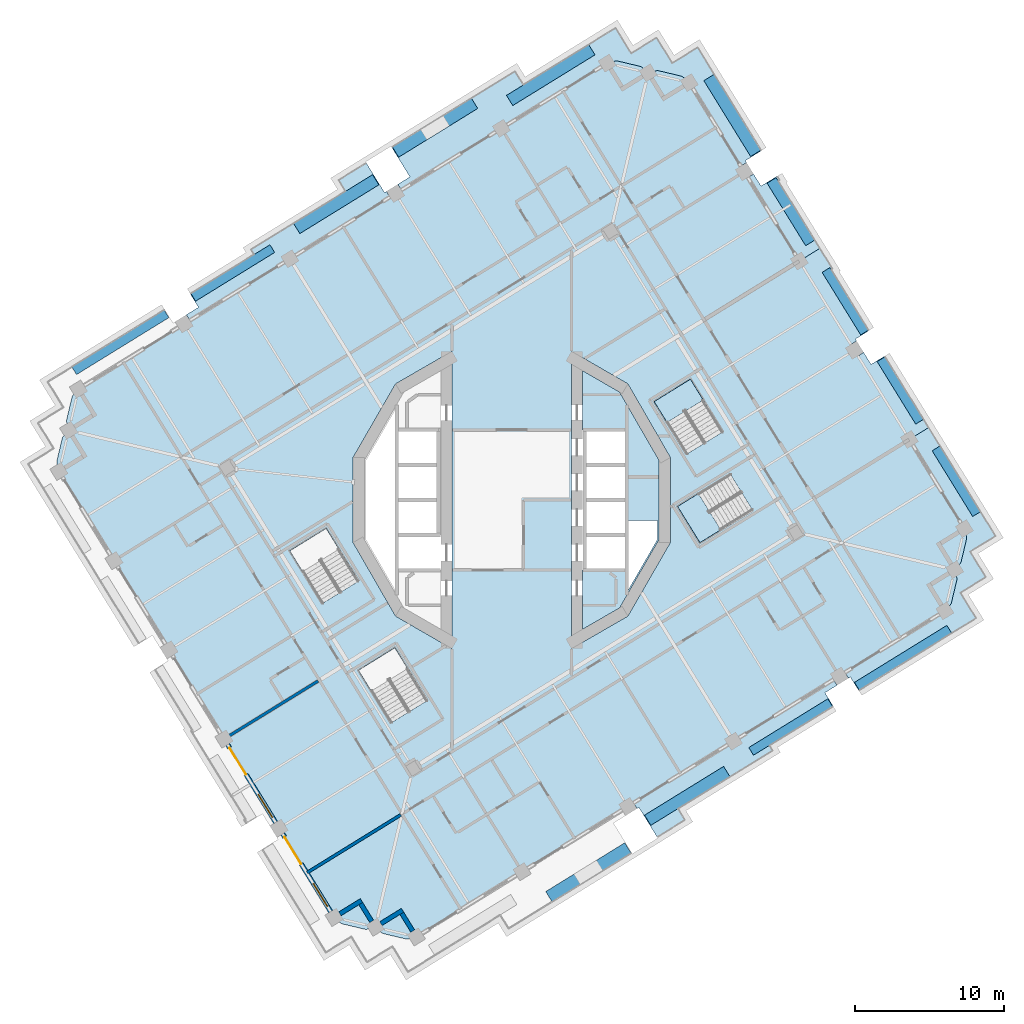
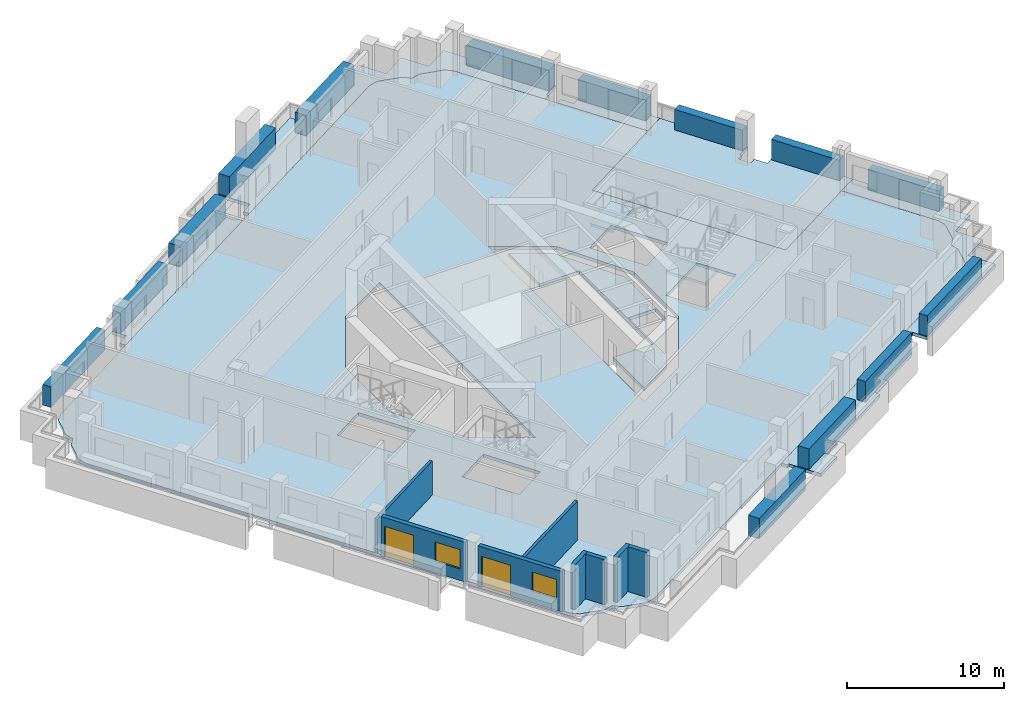
# One storey, part 3 of 20: 14 plates, 10 slabs, 8 walls, 2 doors, 2 windows, 4 openings, 2 elements without a shape of their own.
"""IFC4 building model written with IfcOpenShell, lengths in metres."""

from ifc_helpers import new_model, si_unit, direction, frame, frame_2d, origin, origin_2d, place, context, subcontext, project, spatial, polyline, rectangle, outline, extrude, material, layer, layer_set, type_object, element, fill, aggregate, save


model = new_model("IFC4")

# Units and contexts
model_context = context("Model", 3, precision=1e-05, world=origin(), true_north=direction((0.0, 1.0)))
body_context = subcontext(model_context, "Body", "Model", "MODEL_VIEW")
ifc_project = project(units=[si_unit("LENGTHUNIT", "METRE"), si_unit("AREAUNIT", "SQUARE_METRE"), si_unit("VOLUMEUNIT", "CUBIC_METRE"), si_unit("PLANEANGLEUNIT", "RADIAN"), si_unit("MASSUNIT", "GRAM", prefix="KILO")], contexts=[model_context])

# Site, building, storey
site_placement = place(None, origin())
site = spatial("IfcSite", under=ifc_project, at=site_placement, CompositionType="ELEMENT")
building_placement = place(site_placement, origin())
building = spatial("IfcBuilding", under=site, at=building_placement, Name="Cantera Rosa Tower", CompositionType="ELEMENT")
storey_placement = place(building_placement, frame((0.0, 0.0, 181.800048828125)))
storey = spatial("IfcBuildingStorey", under=building, at=storey_placement, Name="L40", CompositionType="ELEMENT", Elevation=181.800048828125)

# Slabs
ifc_material_1 = material(Name="Concrete C35/45", Category="concrete")
ifc_layer_1 = layer(ifc_material_1, 0.25)
ifc_layer_set_1 = layer_set([ifc_layer_1], Name="COMPOSITE FLOOR SLAB 250 C35/45")
slab_type_1 = type_object("IfcSlabType", Name="COMPOSITE FLOOR SLAB 250 C35/45", PredefinedType="FLOOR", material=ifc_layer_set_1)
slab_1_placement = place(storey_placement, frame((0.0, 0.0, -0.25)))
element("IfcSlab", 1, at=slab_1_placement, inside=storey, type_object=slab_type_1, Name="SLAB L40 floor 2", PredefinedType="FLOOR", context=body_context, shape_type="SweptSolid", body=[
    extrude(outline(polyline([(-8.673828125, -29.014892578125), (-8.698486328125, -28.998779296875), (-8.721435546875, -28.98046875), (-9.14208984375, -28.60888671875), (-9.684814453125, -28.752197265625), (-9.713623046875, -28.75830078125), (-9.742919921875, -28.761474609375), (-9.772216796875, -28.76171875), (-9.801513671875, -28.75927734375), (-9.83056640625, -28.75390625), (-11.34423828125, -28.395263671875), (-11.37255859375, -28.386962890625), (-11.39990234375, -28.376220703125), (-11.426025390625, -28.362548828125), (-11.45068359375, -28.346435546875), (-11.4736328125, -28.328125), (-11.894287109375, -27.95654296875), (-12.408935546875, -27.122314453125), (-30.321044921875, 1.917724609375), (-30.46435546875, 2.460205078125), (-30.470458984375, 2.489013671875), (-30.4736328125, 2.518310546875), (-30.47412109375, 2.5478515625), (-30.4716796875, 2.5771484375), (-30.46630859375, 2.606201171875), (-30.107421875, 4.119873046875), (-30.09912109375, 4.148193359375), (-30.08837890625, 4.17529296875), (-30.07470703125, 4.20166015625), (-30.05859375, 4.226318359375), (-30.040283203125, 4.249267578125), (-29.668701171875, 4.669921875), (-29.81201171875, 5.21240234375), (-29.818115234375, 5.2412109375), (-29.8212890625, 5.2705078125), (-29.82177734375, 5.300048828125), (-29.8193359375, 5.329345703125), (-29.81396484375, 5.3583984375), (-29.455078125, 6.8720703125), (-29.447021484375, 6.900390625), (-29.43603515625, 6.927490234375), (-29.422607421875, 6.953857421875), (-29.406494140625, 6.978515625), (-29.38818359375, 7.00146484375), (-29.0166015625, 7.422119140625), (6.389892578125, 29.260986328125), (6.9326171875, 29.404296875), (6.96142578125, 29.410400390625), (6.99072265625, 29.413818359375), (7.02001953125, 29.4140625), (7.049560546875, 29.41162109375), (7.078369140625, 29.40625), (8.592041015625, 29.047607421875), (8.620361328125, 29.039306640625), (8.647705078125, 29.0283203125), (8.673828125, 29.014892578125), (8.698486328125, 28.998779296875), (8.721435546875, 28.98046875), (9.14208984375, 28.60888671875), (9.684814453125, 28.752197265625), (9.713623046875, 28.75830078125), (9.742919921875, 28.761474609375), (9.772216796875, 28.76171875), (9.801513671875, 28.75927734375), (9.83056640625, 28.75390625), (11.34423828125, 28.395263671875), (11.37255859375, 28.386962890625), (11.39990234375, 28.376220703125), (11.426025390625, 28.362548828125), (11.45068359375, 28.346435546875), (11.4736328125, 28.328125), (11.894287109375, 27.95654296875), (19.264892578125, 16.0068359375), (12.881591796875, 12.069580078125), (20.252197265625, 0.119873046875), (26.6357421875, 4.05712890625), (30.321044921875, -1.917724609375), (30.46435546875, -2.460205078125), (30.470458984375, -2.489013671875), (30.4736328125, -2.518310546875), (30.47412109375, -2.5478515625), (30.4716796875, -2.5771484375), (30.46630859375, -2.606201171875), (30.107421875, -4.119873046875), (30.09912109375, -4.148193359375), (30.08837890625, -4.17529296875), (30.07470703125, -4.20166015625), (30.05859375, -4.226318359375), (30.040283203125, -4.249267578125), (29.668701171875, -4.669921875), (29.81201171875, -5.21240234375), (29.818115234375, -5.2412109375), (29.8212890625, -5.2705078125), (29.82177734375, -5.300048828125), (29.8193359375, -5.329345703125), (29.81396484375, -5.3583984375), (29.455078125, -6.8720703125), (29.447021484375, -6.900390625), (29.43603515625, -6.927490234375), (29.422607421875, -6.953857421875), (29.406494140625, -6.978515625), (29.38818359375, -7.00146484375), (29.0166015625, -7.422119140625), (28.18212890625, -7.9365234375), (-6.389892578125, -29.260986328125), (-6.9326171875, -29.404296875), (-6.96142578125, -29.410400390625), (-6.99072265625, -29.413818359375), (-7.02001953125, -29.4140625), (-7.049560546875, -29.41162109375), (-7.078369140625, -29.40625), (-8.592041015625, -29.047607421875), (-8.620361328125, -29.039306640625), (-8.647705078125, -29.0283203125), (-8.673828125, -29.014892578125)]), holes=[polyline([(-7.830810546875, -9.911376953125), (-10.256591796875, -11.407470703125), (-8.084228515625, -14.929443359375), (-5.658447265625, -13.433349609375), (-7.830810546875, -9.911376953125)]), polyline([(-12.430908203125, -1.911376953125), (-14.8564453125, -3.407470703125), (-12.68408203125, -6.929443359375), (-10.258544921875, -5.433349609375), (-12.430908203125, -1.911376953125)]), polyline([(-10.625244140625, 2.846923828125), (-10.625244140625, -2.846923828125), (-7.7783203125, -7.7783203125), (-4.0, -9.95947265625), (-4.0, 9.95947265625), (-7.7783203125, 7.7783203125), (-10.625244140625, 2.846923828125)]), polyline([(11.111328125, -0.430908203125), (12.607421875, -2.8564453125), (16.12939453125, -0.68408203125), (14.63330078125, 1.741455078125), (11.111328125, -0.430908203125)]), polyline([(10.625244140625, -2.846923828125), (10.625244140625, 2.846923828125), (7.7783203125, 7.7783203125), (4.0, 9.95947265625), (4.0, -9.95947265625), (7.7783203125, -7.7783203125), (10.625244140625, -2.846923828125)]), polyline([(11.96923828125, 8.088623046875), (9.54345703125, 6.592529296875), (11.7158203125, 3.070556640625), (14.1416015625, 4.566650390625), (11.96923828125, 8.088623046875)])]), origin(), (0.0, 0.0, 1.0), 0.25),
])
slab_2_placement = place(storey_placement, frame((0.0, 0.0, -0.25)))
element("IfcSlab", 2, at=slab_2_placement, inside=storey, type_object=slab_type_1, Name="SLAB L40 floor 3", PredefinedType="FLOOR", context=body_context, shape_type="SweptSolid", body=[
    extrude(outline(polyline([(7.699951171875, 0.0), (7.699951171875, 2.35009765625), (7.699951171875, 4.699951171875), (4.75, 4.699951171875), (4.75, 8.660400390625), (7.22900390625, 7.22900390625), (9.875244140625, 2.64599609375), (9.875244140625, -2.64599609375), (7.22900390625, -7.22900390625), (4.75, -8.660400390625), (4.75, -4.699951171875), (7.699951171875, -4.699951171875), (7.699951171875, -2.35009765625), (7.699951171875, 0.0)]), holes=[polyline([(9.775146484375, -1.3828125), (7.800048828125, -1.3828125), (7.800048828125, -2.25), (7.800048828125, -2.449951171875), (7.800048828125, -6.040283203125), (9.775146484375, -2.619384765625), (9.775146484375, -1.3828125)])]), origin(), (0.0, 0.0, 1.0), 0.25),
])
ifc_material_2 = material(Name="Concrete C35/45", Category="concrete")
ifc_layer_2 = layer(ifc_material_2, 0.25)
ifc_layer_set_2 = layer_set([ifc_layer_2], Name="LOGGIA SLAB 250 C35/45")
slab_type_2 = type_object("IfcSlabType", Name="LOGGIA SLAB 250 C35/45", PredefinedType="FLOOR", material=ifc_layer_set_2)
slab_3_placement = place(storey_placement, frame((0.0, 0.0, -0.25)))
element("IfcSlab", 3, at=slab_3_placement, inside=storey, type_object=slab_type_2, Name="LOGGIA SLAB L40 3", PredefinedType="FLOOR", context=body_context, shape_type="SweptSolid", body=[
    extrude(outline(polyline([(-9.736083984375, 22.565673828125), (-8.51953125, 20.593505859375), (-8.391845703125, 20.672119140625), (-8.155517578125, 20.289306640625), (-21.55224609375, 12.026123046875), (-21.788330078125, 12.4091796875), (-20.97998046875, 12.90771484375), (-21.531005859375, 13.801513671875), (-21.446044921875, 13.85400390625), (-17.249267578125, 16.442626953125), (-17.45361328125, 16.773681640625), (-11.119384765625, 20.6806640625), (-11.580322265625, 21.427978515625), (-9.736083984375, 22.565673828125)])), origin(), (0.0, 0.0, 1.0), 0.25),
])
slab_4_placement = place(storey_placement, frame((0.0, 0.0, -0.25)))
element("IfcSlab", 4, at=slab_4_placement, inside=storey, type_object=slab_type_2, Name="LOGGIA SLAB L40 5", PredefinedType="FLOOR", context=body_context, shape_type="SweptSolid", body=[
    extrude(outline(polyline([(7.994384765625, 29.898193359375), (8.249755859375, 30.0556640625), (9.696533203125, 30.9482421875), (10.589111328125, 29.501220703125), (10.74658203125, 29.245849609375), (11.001953125, 29.4033203125), (12.44873046875, 30.2958984375), (13.34130859375, 28.84912109375), (16.711669921875, 23.384765625), (15.647705078125, 22.728515625), (15.7265625, 22.600830078125), (15.343505859375, 22.36474609375), (11.894287109375, 27.95654296875), (11.4736328125, 28.328125), (11.45068359375, 28.346435546875), (11.426025390625, 28.362548828125), (11.39990234375, 28.376220703125), (11.37255859375, 28.386962890625), (11.34423828125, 28.395263671875), (9.83056640625, 28.75390625), (9.801513671875, 28.75927734375), (9.772216796875, 28.76171875), (9.742919921875, 28.761474609375), (9.713623046875, 28.75830078125), (9.684814453125, 28.752197265625), (9.14208984375, 28.60888671875), (8.721435546875, 28.98046875), (8.698486328125, 28.998779296875), (8.673828125, 29.014892578125), (8.647705078125, 29.0283203125), (8.620361328125, 29.039306640625), (8.592041015625, 29.047607421875), (7.078369140625, 29.40625), (7.049560546875, 29.41162109375), (7.02001953125, 29.4140625), (6.99072265625, 29.413818359375), (6.96142578125, 29.410400390625), (6.9326171875, 29.404296875), (6.389892578125, 29.260986328125), (-7.3896484375, 20.76171875), (-7.625732421875, 21.144775390625), (-6.8173828125, 21.643310546875), (-8.03369140625, 23.615478515625), (0.211181640625, 28.701171875), (0.771484375, 27.79296875), (5.49755859375, 30.7080078125), (6.9443359375, 31.600341796875), (7.8369140625, 30.153564453125), (7.994384765625, 29.898193359375)])), origin(), (0.0, 0.0, 1.0), 0.25),
])
slab_5_placement = place(storey_placement, frame((0.0, 0.0, -0.25)))
element("IfcSlab", 5, at=slab_5_placement, inside=storey, type_object=slab_type_2, Name="LOGGIA SLAB L40 6", PredefinedType="FLOOR", context=body_context, shape_type="SweptSolid", body=[
    extrude(outline(polyline([(21.788330078125, -12.4091796875), (20.97998046875, -12.90771484375), (21.531005859375, -13.801513671875), (21.446044921875, -13.85400390625), (17.249267578125, -16.442626953125), (17.45361328125, -16.773681640625), (11.119384765625, -20.6806640625), (11.580322265625, -21.427978515625), (9.736083984375, -22.565673828125), (8.51953125, -20.593505859375), (8.391845703125, -20.672119140625), (8.155517578125, -20.289306640625), (21.55224609375, -12.026123046875), (21.788330078125, -12.4091796875)])), origin(), (0.0, 0.0, 1.0), 0.25),
])
slab_6_placement = place(storey_placement, frame((0.0, 0.0, -0.25)))
element("IfcSlab", 6, at=slab_6_placement, inside=storey, type_object=slab_type_2, Name="LOGGIA SLAB L40 7", PredefinedType="FLOOR", context=body_context, shape_type="SweptSolid", body=[
    extrude(outline(polyline([(16.198974609375, 21.8349609375), (16.69775390625, 21.0263671875), (17.76171875, 21.6826171875), (17.9189453125, 21.42724609375), (17.834228515625, 21.375), (20.627197265625, 16.846923828125), (19.264892578125, 16.0068359375), (15.81591796875, 21.5986328125), (16.198974609375, 21.8349609375)])), origin(), (0.0, 0.0, 1.0), 0.25),
])
slab_7_placement = place(storey_placement, frame((0.0, 0.0, -0.25)))
element("IfcSlab", 7, at=slab_7_placement, inside=storey, type_object=slab_type_2, Name="LOGGIA SLAB L40 8", PredefinedType="FLOOR", context=body_context, shape_type="SweptSolid", body=[
    extrude(outline(polyline([(30.682861328125, -3.456787109375), (30.9453125, -3.88232421875), (31.73291015625, -5.1591796875), (30.456298828125, -5.946533203125), (30.03076171875, -6.208984375), (30.293212890625, -6.634521484375), (31.08056640625, -7.911376953125), (29.803955078125, -8.69873046875), (23.999267578125, -12.279052734375), (23.2333984375, -12.75146484375), (22.68212890625, -11.85791015625), (22.554443359375, -11.9365234375), (22.318115234375, -11.5537109375), (28.18212890625, -7.9365234375), (29.0166015625, -7.422119140625), (29.38818359375, -7.00146484375), (29.406494140625, -6.978515625), (29.422607421875, -6.953857421875), (29.43603515625, -6.927490234375), (29.447021484375, -6.900390625), (29.455078125, -6.8720703125), (29.81396484375, -5.3583984375), (29.8193359375, -5.329345703125), (29.82177734375, -5.300048828125), (29.8212890625, -5.2705078125), (29.818115234375, -5.2412109375), (29.81201171875, -5.21240234375), (29.668701171875, -4.669921875), (30.040283203125, -4.249267578125), (30.05859375, -4.226318359375), (30.07470703125, -4.20166015625), (30.08837890625, -4.17529296875), (30.09912109375, -4.148193359375), (30.107421875, -4.119873046875), (30.46630859375, -2.606201171875), (30.4716796875, -2.5771484375), (30.47412109375, -2.5478515625), (30.4736328125, -2.518310546875), (30.470458984375, -2.489013671875), (30.46435546875, -2.460205078125), (30.321044921875, -1.917724609375), (26.6357421875, 4.05712890625), (27.912353515625, 4.844482421875), (28.69970703125, 3.568115234375), (31.59765625, -1.130126953125), (32.38525390625, -2.406982421875), (31.1083984375, -3.1943359375), (30.682861328125, -3.456787109375)])), origin(), (0.0, 0.0, 1.0), 0.25),
])

# Plates
ifc_material_3 = material(Name="Cantera stone planter with soil", Category="masonry")
plate_type_1 = type_object("IfcPlateType", Name="PLANTER 600", PredefinedType="USERDEFINED", material=ifc_material_3)
plate_1_placement = place(storey_placement, frame((29.775390625, 1.2529296875, 0.0), z_axis=(0.0, 0.0, 1.0), x_axis=(-0.52497658034, 0.851116672434, 0.0)))
element("IfcPlate", 8, at=plate_1_placement, inside=storey, type_object=plate_type_1, Name="PLANTER L40-01", ObjectType="PLANTER", PredefinedType="USERDEFINED", context=body_context, shape_type="SweptSolid", body=[
    extrude(rectangle(XDim=5.169921875, YDim=0.60009765625, at=origin_2d()), origin(), (0.0, 0.0, 1.0), 1.60009765625),
])
for number, where, z_axis, x_axis, name in (
    (9, (26.0244140625, 7.333984375, 0.0), (0.0, 0.0, 1.0), (-0.52497658034, 0.851116672434, 0.0), "PLANTER L40-02"),
    (10, (22.339111328125, 13.308837890625, 0.0), (0.0, 0.0, 1.0), (-0.52497658034, 0.851116672434, 0.0), "PLANTER L40-03"),
):
    element("IfcPlate", number, at=place(storey_placement, frame(where, z_axis=z_axis, x_axis=x_axis)), inside=storey, type_object=plate_type_1, Name=name, ObjectType="PLANTER", PredefinedType="USERDEFINED", context=body_context, shape_type="SweptSolid", body=[
        extrude(rectangle(XDim=4.919921875, YDim=0.60009765625, at=origin_2d()), origin(), (0.0, 0.0, 1.0), 1.60009765625),
    ])
plate_2_placement = place(storey_placement, frame((-18.68408203125, 15.205078125, 0.0), z_axis=(0.0, 0.0, 1.0), x_axis=(-0.851116672434, -0.52497658034, 0.0)))
element("IfcPlate", 11, at=plate_2_placement, inside=storey, type_object=plate_type_1, Name="PLANTER L40-09", ObjectType="PLANTER", PredefinedType="USERDEFINED", context=body_context, shape_type="SweptSolid", body=[
    extrude(rectangle(XDim=6.219970703125, YDim=0.60009765625, at=origin_2d()), origin(), (0.0, 0.0, 1.0), 1.60009765625),
])
plate_3_placement = place(storey_placement, frame((-26.212158203125, 10.561767578125, 0.0), z_axis=(0.0, 0.0, 1.0), x_axis=(-0.851116672434, -0.52497658034, 0.0)))
element("IfcPlate", 12, at=plate_3_placement, inside=storey, type_object=plate_type_1, Name="PLANTER L40-10", ObjectType="PLANTER", PredefinedType="USERDEFINED", context=body_context, shape_type="SweptSolid", body=[
    extrude(rectangle(XDim=7.27001953125, YDim=0.60009765625, at=origin_2d()), origin(), (0.0, 0.0, 1.0), 1.60009765625),
])
plate_4_placement = place(storey_placement, frame((18.68408203125, -15.205078125, 0.0), z_axis=(0.0, 0.0, 1.0), x_axis=(0.851116672434, 0.52497658034, 0.0)))
element("IfcPlate", 13, at=plate_4_placement, inside=storey, type_object=plate_type_1, Name="PLANTER L40-19", ObjectType="PLANTER", PredefinedType="USERDEFINED", context=body_context, shape_type="SweptSolid", body=[
    extrude(rectangle(XDim=6.219970703125, YDim=0.60009765625, at=origin_2d()), origin(), (0.0, 0.0, 1.0), 1.60009765625),
])
plate_5_placement = place(storey_placement, frame((26.212158203125, -10.561767578125, 0.0), z_axis=(0.0, 0.0, 1.0), x_axis=(0.851116672434, 0.52497658034, 0.0)))
element("IfcPlate", 14, at=plate_5_placement, inside=storey, type_object=plate_type_1, Name="PLANTER L40-20", ObjectType="PLANTER", PredefinedType="USERDEFINED", context=body_context, shape_type="SweptSolid", body=[
    extrude(rectangle(XDim=7.27001953125, YDim=0.60009765625, at=origin_2d()), origin(), (0.0, 0.0, 1.0), 1.60009765625),
])
ifc_material_4 = material(Name="Cantera stone planter with soil", Category="masonry")
plate_type_2 = type_object("IfcPlateType", Name="PLANTER 700", PredefinedType="USERDEFINED", material=ifc_material_4)
plate_6_placement = place(storey_placement, frame((18.696533203125, 19.310302734375, 0.0), z_axis=(0.0, 0.0, 1.0), x_axis=(-0.52497658034, 0.851116672434, 0.0)))
element("IfcPlate", 15, at=plate_6_placement, inside=storey, type_object=plate_type_2, Name="PLANTER L40-04", ObjectType="PLANTER", PredefinedType="USERDEFINED", context=body_context, shape_type="SweptSolid", body=[
    extrude(rectangle(XDim=4.919921875, YDim=0.699951171875, at=origin_2d()), origin(), (0.0, 0.0, 1.0), 1.60009765625),
])
ifc_material_5 = material(Name="Cantera stone planter with soil", Category="masonry")
plate_type_3 = type_object("IfcPlateType", Name="PLANTER 800", PredefinedType="USERDEFINED", material=ifc_material_5)
plate_7_placement = place(storey_placement, frame((14.77783203125, 25.758056640625, 0.0), z_axis=(0.0, 0.0, 1.0), x_axis=(-0.52497658034, 0.851116672434, 0.0)))
element("IfcPlate", 16, at=plate_7_placement, inside=storey, type_object=plate_type_3, Name="PLANTER L40-05", ObjectType="PLANTER", PredefinedType="USERDEFINED", context=body_context, shape_type="SweptSolid", body=[
    extrude(rectangle(XDim=5.969970703125, YDim=0.800048828125, at=origin_2d()), origin(), (0.0, 0.0, 1.0), 1.60009765625),
])
plate_8_placement = place(storey_placement, frame((2.61376953125, 28.459228515625, 0.0), z_axis=(0.0, 0.0, 1.0), x_axis=(-0.851116672434, -0.52497658034, 0.0)))
element("IfcPlate", 17, at=plate_8_placement, inside=storey, type_object=plate_type_3, Name="PLANTER L40-06", ObjectType="PLANTER", PredefinedType="USERDEFINED", context=body_context, shape_type="SweptSolid", body=[
    extrude(rectangle(XDim=6.469970703125, YDim=0.800048828125, at=origin_2d()), origin(), (0.0, 0.0, 1.0), 1.60009765625),
])
for number, where, z_axis, x_axis, name in (
    (18, (-5.13427734375, 24.93408203125, 0.0), (0.0, 0.0, 1.0), (-0.851116672434, -0.52497658034, 0.0), "PLANTER L40-07"),
    (19, (-11.754638671875, 19.81884765625, 0.0), (0.0, 0.0, 1.0), (-0.851116672434, -0.52497658034, 0.0), "PLANTER L40-08"),
    (20, (5.13427734375, -24.93408203125, 0.0), (0.0, 0.0, 1.0), (0.851116672434, 0.52497658034, 0.0), "PLANTER L40-17"),
    (21, (11.754638671875, -19.81884765625, 0.0), (0.0, 0.0, 1.0), (0.851116672434, 0.52497658034, 0.0), "PLANTER L40-18"),
):
    element("IfcPlate", number, at=place(storey_placement, frame(where, z_axis=z_axis, x_axis=x_axis)), inside=storey, type_object=plate_type_3, Name=name, ObjectType="PLANTER", PredefinedType="USERDEFINED", context=body_context, shape_type="SweptSolid", body=[
        extrude(rectangle(XDim=6.219970703125, YDim=0.800048828125, at=origin_2d()), origin(), (0.0, 0.0, 1.0), 1.60009765625),
    ])

# Stair, slab
ifc_material_6 = material(Name="Concrete C35/45", Category="concrete")
stair_type = type_object("IfcStairType", Name="EXIT STAIR 1350 DOGLEG", PredefinedType="HALF_TURN_STAIR", material=ifc_material_6)
stair_1_placement = place(storey_placement, origin())
stair_1 = element("IfcStair", 22, at=stair_1_placement, inside=storey, type_object=stair_type, Name="L40 ST-31", PredefinedType="HALF_TURN_STAIR")
ifc_material_7 = material(Name="Concrete C35/45", Category="concrete")
ifc_layer_3 = layer(ifc_material_7, 0.199951171875)
ifc_layer_set_3 = layer_set([ifc_layer_3], Name="STAIR LANDING 200")
slab_type_3 = type_object("IfcSlabType", Name="STAIR LANDING 200", PredefinedType="LANDING", material=ifc_layer_set_3)
slab_8_placement = place(storey_placement, frame((0.0, 0.0, 1.699951171875)))
slab_8 = element("IfcSlab", 23, at=slab_8_placement, type_object=slab_type_3, Name="ST-31 landing 1", PredefinedType="LANDING", context=body_context, shape_type="SweptSolid", body=[
    extrude(outline(polyline([(12.8310546875, 6.691162109375), (11.96923828125, 8.088623046875), (9.54345703125, 6.592529296875), (10.405517578125, 5.19482421875), (12.8310546875, 6.691162109375)])), origin(), (0.0, 0.0, 1.0), 0.199951171875),
])
aggregate(stair_1, [slab_8])

stair_2_placement = place(storey_placement, origin())
stair_2 = element("IfcStair", 24, at=stair_2_placement, inside=storey, type_object=stair_type, Name="L40 ST-34", PredefinedType="HALF_TURN_STAIR")
slab_9_placement = place(storey_placement, frame((0.0, 0.0, 1.699951171875)))
slab_9 = element("IfcSlab", 25, at=slab_9_placement, type_object=slab_type_3, Name="ST-34 landing 1", PredefinedType="LANDING", context=body_context, shape_type="SweptSolid", body=[
    extrude(outline(polyline([(12.5087890625, 0.43115234375), (11.111328125, -0.430908203125), (12.607421875, -2.8564453125), (14.005126953125, -1.99462890625), (12.5087890625, 0.43115234375)])), origin(), (0.0, 0.0, 1.0), 0.199951171875),
])
aggregate(stair_2, [slab_9])

# Slab
ifc_material_8 = material(Name="Concrete C35/45", Category="concrete")
ifc_layer_4 = layer(ifc_material_8, 0.25)
ifc_layer_set_4 = layer_set([ifc_layer_4], Name="TERRACE SLAB 250 C35/45")
slab_type_4 = type_object("IfcSlabType", Name="TERRACE SLAB 250 C35/45", PredefinedType="FLOOR", material=ifc_layer_set_4)
slab_10_placement = place(storey_placement, frame((0.0, 0.0, -0.25)))
element("IfcSlab", 26, at=slab_10_placement, inside=storey, type_object=slab_type_4, Name="TERRACE SLAB L40 1", PredefinedType="FLOOR", context=body_context, shape_type="SweptSolid", body=[
    extrude(outline(polyline([(20.252197265625, 0.119873046875), (12.881591796875, 12.069580078125), (19.264892578125, 16.0068359375), (20.627197265625, 16.846923828125), (21.46728515625, 15.48486328125), (21.3818359375, 15.432373046875), (23.439697265625, 12.09619140625), (23.912109375, 11.330078125), (23.018310546875, 10.77880859375), (23.09716796875, 10.651123046875), (22.714111328125, 10.4150390625), (23.1865234375, 9.64892578125), (23.569580078125, 9.88525390625), (24.068359375, 9.07666015625), (24.9619140625, 9.6279296875), (25.014404296875, 9.542724609375), (27.125, 6.121337890625), (27.912353515625, 4.844482421875), (26.6357421875, 4.05712890625), (20.252197265625, 0.119873046875)])), origin(), (0.0, 0.0, 1.0), 0.25),
])

# Walls
ifc_material_9 = material(Name="Hollow clay masonry with cantera stone cladding", Category="masonry")
ifc_layer_5 = layer(ifc_material_9, 0.300048828125)
ifc_layer_set_5 = layer_set([ifc_layer_5], Name="EW-LOGGIA 300")
wall_type_1 = type_object("IfcWallType", Name="EW-LOGGIA 300", PredefinedType="SOLIDWALL", material=ifc_layer_set_5)
wall_1_placement = place(storey_placement, frame((-11.51123046875, -27.72021484375, 0.0), z_axis=(0.0, 0.0, 1.0), x_axis=(0.851130227454, 0.524954603669, 0.0)))
element("IfcWall", 27, at=wall_1_placement, inside=storey, type_object=wall_type_1, Name="EN-L40-W20a", PredefinedType="SOLIDWALL", context=body_context, shape_type="SweptSolid", body=[
    extrude(rectangle(XDim=1.699951171875, YDim=0.300048828125, at=frame_2d((0.85009765625, 0.0))), origin(), (0.0, 0.0, 1.0), 3.5),
])
wall_2_placement = place(storey_placement, frame((-10.11328125, -27.0341796875, 0.0), z_axis=(0.0, 0.0, 1.0), x_axis=(0.524895019961, -0.85116697423, 0.0)))
element("IfcWall", 28, at=wall_2_placement, inside=storey, type_object=wall_type_1, Name="EN-L40-W20b", PredefinedType="SOLIDWALL", context=body_context, shape_type="SweptSolid", body=[
    extrude(rectangle(XDim=1.39990234375, YDim=0.300048828125, at=frame_2d((0.699951171875, 0.0))), origin(), (0.0, 0.0, 1.0), 3.5),
])
wall_3_placement = place(storey_placement, frame((-8.75927734375, -28.37255859375, 0.0), z_axis=(0.0, 0.0, 1.0), x_axis=(0.851105638601, 0.524994468487, 0.0)))
element("IfcWall", 29, at=wall_3_placement, inside=storey, type_object=wall_type_1, Name="EN-L40-W21a", PredefinedType="SOLIDWALL", context=body_context, shape_type="SweptSolid", body=[
    extrude(rectangle(XDim=1.7001953125, YDim=0.300048828125, at=frame_2d((0.85009765625, 0.0))), origin(), (0.0, 0.0, 1.0), 3.5),
])
wall_4_placement = place(storey_placement, frame((-7.361083984375, -27.6865234375, 0.0), z_axis=(0.0, 0.0, 1.0), x_axis=(0.524895019961, -0.85116697423, 0.0)))
element("IfcWall", 30, at=wall_4_placement, inside=storey, type_object=wall_type_1, Name="EN-L40-W21b", PredefinedType="SOLIDWALL", context=body_context, shape_type="SweptSolid", body=[
    extrude(rectangle(XDim=1.39990234375, YDim=0.300048828125, at=frame_2d((0.699951171875, 0.0))), origin(), (0.0, 0.0, 1.0), 3.5),
])

# Wall, openings, window, door
ifc_material_10 = material(Name="Hollow clay masonry with cantera stone cladding", Category="masonry")
ifc_layer_6 = layer(ifc_material_10, 0.300048828125)
ifc_layer_set_6 = layer_set([ifc_layer_6], Name="EW-LOGGIA 300 H3090")
wall_type_2 = type_object("IfcWallType", Name="EW-LOGGIA 300 H3090", PredefinedType="SOLIDWALL", material=ifc_layer_set_6)
wall_5_placement = place(storey_placement, frame((-19.02880859375, -16.389892578125, 0.0), z_axis=(0.0, 0.0, 1.0), x_axis=(0.524987447654, -0.851109969279, 0.0)))
wall_5 = element("IfcWall", 31, at=wall_5_placement, inside=storey, type_object=wall_type_2, Name="EN-L40-W18", PredefinedType="SOLIDWALL", context=body_context, shape_type="SweptSolid", body=[
    extrude(rectangle(XDim=6.119873046875, YDim=0.300048828125, at=frame_2d((3.06005859375, 0.0))), origin(), (0.0, 0.0, 1.0), 3.08984375),
])
opening_1_placement = place(wall_5_placement, frame((0.2548828125, 0.0, 0.0)))
opening_1 = element("IfcOpeningElement", 32, at=opening_1_placement, cuts=wall_5, Name="Opening L40-TD23", PredefinedType="OPENING", context=body_context, shape_type="SweptSolid", body=[
    extrude(rectangle(XDim=2.10009765625, YDim=2.39990234375, at=frame_2d((1.050048828125, 1.199951171875))), frame((0.0, 0.159912109375, 0.0), z_axis=(0.0, -1.0, 0.0), x_axis=(1.0, 0.0, 0.0)), (0.0, 0.0, 1.0), 0.320068359375),
])
opening_2_placement = place(wall_5_placement, frame((3.9150390625, 0.0, 0.89990234375)))
opening_2 = element("IfcOpeningElement", 33, at=opening_2_placement, cuts=wall_5, Name="Opening L40-W24", PredefinedType="OPENING", context=body_context, shape_type="SweptSolid", body=[
    extrude(rectangle(XDim=1.800048828125, YDim=1.5, at=frame_2d((0.89990234375, 0.75))), frame((0.0, 0.159912109375, 0.0), z_axis=(0.0, -1.0, 0.0), x_axis=(1.0, 0.0, 0.0)), (0.0, 0.0, 1.0), 0.320068359375),
])
ifc_material_11 = material(Name="Aluminium frame with clear glass", Category="aluminium")
window_type = type_object("IfcWindowType", Name="Hotel room window 1800x1500", PartitioningType="DOUBLE_PANEL_VERTICAL", PredefinedType="WINDOW", material=ifc_material_11)
window_1_placement = place(opening_2_placement, origin())
window_1 = element("IfcWindow", 34, at=window_1_placement, inside=storey, type_object=window_type, Name="WINDOW L40-W24", OverallHeight=1.5, OverallWidth=1.800048828125, PartitioningType="SINGLE_PANEL", PredefinedType="WINDOW", context=body_context, shape_type="SweptSolid", body=[
    extrude(rectangle(XDim=1.800048828125, YDim=1.5, at=frame_2d((0.89990234375, 0.75))), frame((0.0, 0.030029296875, 0.0), z_axis=(0.0, -1.0, 0.0), x_axis=(1.0, 0.0, 0.0)), (0.0, 0.0, 1.0), 0.06005859375),
])
fill(opening_2, window_1)
ifc_material_12 = material(Name="Aluminium frame with clear glass", Category="aluminium")
door_type = type_object("IfcDoorType", Name="TD-H 2100x2400", OperationType="NOTDEFINED", PredefinedType="DOOR", material=ifc_material_12)
door_1_placement = place(opening_1_placement, origin())
door_1 = element("IfcDoor", 35, at=door_1_placement, inside=storey, type_object=door_type, Name="LOGGIA DOOR L40-TD23", OperationType="SLIDING_TO_LEFT", OverallHeight=2.39990234375, OverallWidth=2.10009765625, PredefinedType="DOOR", context=body_context, shape_type="SweptSolid", body=[
    extrude(rectangle(XDim=2.10009765625, YDim=2.39990234375, at=frame_2d((1.050048828125, 1.199951171875))), frame((0.0, 0.02490234375, 0.0), z_axis=(0.0, -1.0, 0.0), x_axis=(1.0, 0.0, 0.0)), (0.0, 0.0, 1.0), 0.050048828125),
])
fill(opening_1, door_1)

ifc_material_13 = material(Name="Hollow clay masonry with cantera stone cladding", Category="masonry")
ifc_layer_7 = layer(ifc_material_13, 0.300048828125)
ifc_layer_set_7 = layer_set([ifc_layer_7], Name="EW-LOGGIA 300 H3140")
wall_type_3 = type_object("IfcWallType", Name="EW-LOGGIA 300 H3140", PredefinedType="SOLIDWALL", material=ifc_layer_set_7)
wall_6_placement = place(storey_placement, frame((-15.343505859375, -22.36474609375, 0.0), z_axis=(0.0, 0.0, 1.0), x_axis=(0.524987447654, -0.851109969279, 0.0)))
wall_6 = element("IfcWall", 36, at=wall_6_placement, inside=storey, type_object=wall_type_3, Name="EN-L40-W19", PredefinedType="SOLIDWALL", context=body_context, shape_type="SweptSolid", body=[
    extrude(rectangle(XDim=6.119873046875, YDim=0.300048828125, at=frame_2d((3.06005859375, 0.0))), origin(), (0.0, 0.0, 1.0), 3.139892578125),
])
opening_3_placement = place(wall_6_placement, frame((0.2548828125, 0.0, 0.0)))
opening_3 = element("IfcOpeningElement", 37, at=opening_3_placement, cuts=wall_6, Name="Opening L40-TD25", PredefinedType="OPENING", context=body_context, shape_type="SweptSolid", body=[
    extrude(rectangle(XDim=2.10009765625, YDim=2.39990234375, at=frame_2d((1.050048828125, 1.199951171875))), frame((0.0, 0.159912109375, 0.0), z_axis=(0.0, -1.0, 0.0), x_axis=(1.0, 0.0, 0.0)), (0.0, 0.0, 1.0), 0.320068359375),
])
opening_4_placement = place(wall_6_placement, frame((3.9150390625, 0.0, 0.89990234375)))
opening_4 = element("IfcOpeningElement", 38, at=opening_4_placement, cuts=wall_6, Name="Opening L40-W26", PredefinedType="OPENING", context=body_context, shape_type="SweptSolid", body=[
    extrude(rectangle(XDim=1.800048828125, YDim=1.5, at=frame_2d((0.89990234375, 0.75))), frame((0.0, 0.159912109375, 0.0), z_axis=(0.0, -1.0, 0.0), x_axis=(1.0, 0.0, 0.0)), (0.0, 0.0, 1.0), 0.320068359375),
])
window_2_placement = place(opening_4_placement, origin())
window_2 = element("IfcWindow", 39, at=window_2_placement, inside=storey, type_object=window_type, Name="WINDOW L40-W26", OverallHeight=1.5, OverallWidth=1.800048828125, PartitioningType="SINGLE_PANEL", PredefinedType="WINDOW", context=body_context, shape_type="SweptSolid", body=[
    extrude(rectangle(XDim=1.800048828125, YDim=1.5, at=frame_2d((0.89990234375, 0.75))), frame((0.0, 0.030029296875, 0.0), z_axis=(0.0, -1.0, 0.0), x_axis=(1.0, 0.0, 0.0)), (0.0, 0.0, 1.0), 0.06005859375),
])
fill(opening_4, window_2)
door_2_placement = place(opening_3_placement, origin())
door_2 = element("IfcDoor", 40, at=door_2_placement, inside=storey, type_object=door_type, Name="LOGGIA DOOR L40-TD25", OperationType="SLIDING_TO_LEFT", OverallHeight=2.39990234375, OverallWidth=2.10009765625, PredefinedType="DOOR", context=body_context, shape_type="SweptSolid", body=[
    extrude(rectangle(XDim=2.10009765625, YDim=2.39990234375, at=frame_2d((1.050048828125, 1.199951171875))), frame((0.0, 0.02490234375, 0.0), z_axis=(0.0, -1.0, 0.0), x_axis=(1.0, 0.0, 0.0)), (0.0, 0.0, 1.0), 0.050048828125),
])
fill(opening_3, door_2)

# Walls
ifc_material_14 = material(Name="Gypsum board partition")
ifc_layer_8 = layer(ifc_material_14, 0.199951171875)
ifc_layer_set_8 = layer_set([ifc_layer_8], Name="PARTY WALL 200 H2650")
wall_type_4 = type_object("IfcWallType", Name="PARTY WALL 200 H2650", PredefinedType="PARTITIONING", material=ifc_layer_set_8)
wall_7_placement = place(storey_placement, frame((-12.966796875, -12.1220703125, 0.0), z_axis=(0.0, 0.0, 1.0), x_axis=(-0.851111911821, -0.52498429839, 0.0)))
element("IfcWall", 41, at=wall_7_placement, inside=storey, type_object=wall_type_4, Name="PARTY WALL L40-016", PredefinedType="PARTITIONING", context=body_context, shape_type="SweptSolid", body=[
    extrude(rectangle(XDim=7.3701171875, YDim=0.199951171875, at=frame_2d((3.68505859375, 0.0))), origin(), (0.0, 0.0, 1.0), 2.64990234375),
])
ifc_material_15 = material(Name="Gypsum board partition")
ifc_layer_9 = layer(ifc_material_15, 0.199951171875)
ifc_layer_set_9 = layer_set([ifc_layer_9], Name="PARTY WALL 200 H3050")
wall_type_5 = type_object("IfcWallType", Name="PARTY WALL 200 H3050", PredefinedType="PARTITIONING", material=ifc_layer_set_9)
wall_8_placement = place(storey_placement, frame((-13.706298828125, -24.9619140625, 0.0), z_axis=(0.0, 0.0, 1.0), x_axis=(0.851111911821, 0.52498429839, 0.0)))
element("IfcWall", 42, at=wall_8_placement, inside=storey, type_object=wall_type_5, Name="PARTY WALL L40-015", PredefinedType="PARTITIONING", context=body_context, shape_type="SweptSolid", body=[
    extrude(rectangle(XDim=7.3701171875, YDim=0.199951171875, at=frame_2d((3.68505859375, 0.0))), origin(), (0.0, 0.0, 1.0), 3.050048828125),
])

save(model, "model.ifc")
